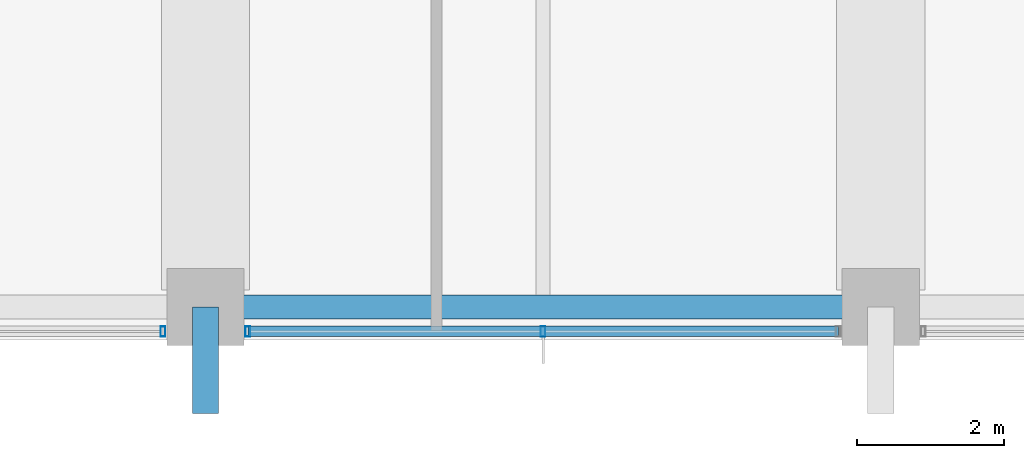
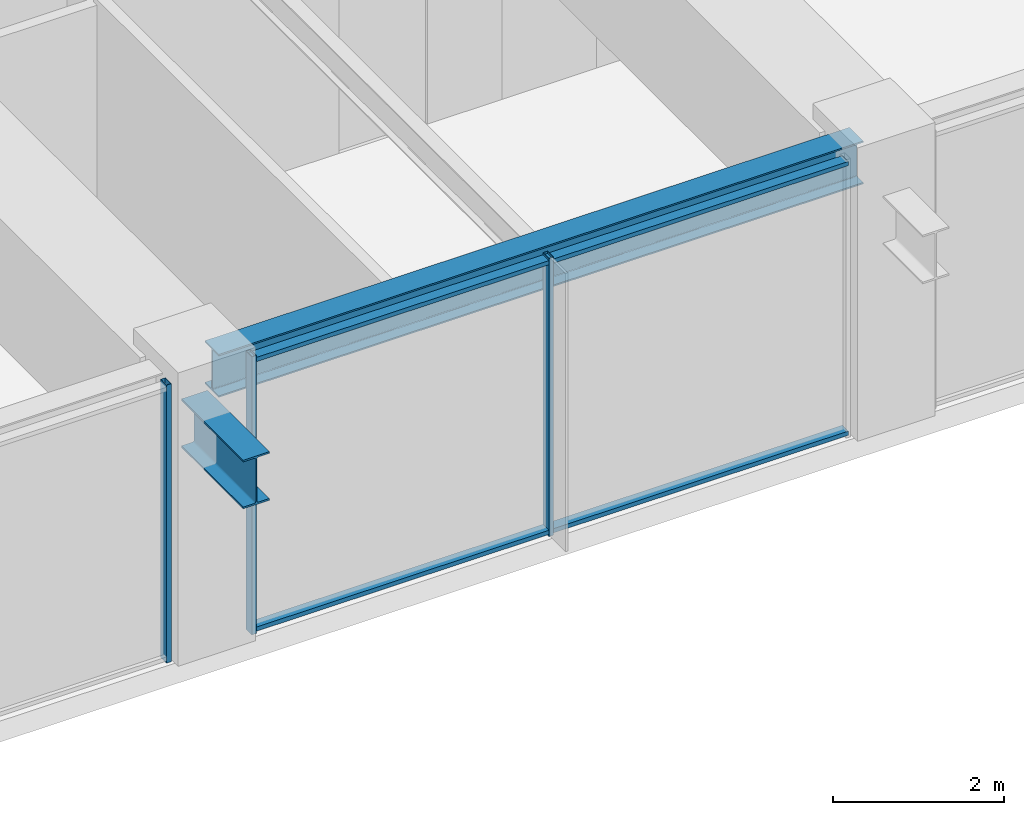
# One storey, part 5 of 40: 5 members, 2 beams, 2 elements without a shape of their own.
"""IFC4 building model written with IfcOpenShell, lengths in metres."""

from ifc_helpers import new_model, si_unit, direction, frame, origin, origin_2d, place, context, subcontext, project, spatial, hollow_rectangle, i_section, extrude, material, material_profile, profile_set, type_object, element, aggregate, save


model = new_model("IFC4")

# Units and contexts
model_context = context("Model", 3, precision=1e-05, world=origin(), true_north=direction((0.0, 1.0)))
body_context = subcontext(model_context, "Body", "Model", "MODEL_VIEW")
ifc_project = project(units=[si_unit("LENGTHUNIT", "METRE"), si_unit("AREAUNIT", "SQUARE_METRE"), si_unit("VOLUMEUNIT", "CUBIC_METRE"), si_unit("PLANEANGLEUNIT", "RADIAN"), si_unit("MASSUNIT", "GRAM", prefix="KILO")], contexts=[model_context])

# Site, building, storey
site_placement = place(None, origin())
site = spatial("IfcSite", under=ifc_project, at=site_placement, CompositionType="ELEMENT")
building_placement = place(site_placement, origin())
building = spatial("IfcBuilding", under=site, at=building_placement, Name="Kolvaren Belvedere", CompositionType="ELEMENT")
storey_placement = place(building_placement, frame((0.0, 0.0, 68.0)))
storey = spatial("IfcBuildingStorey", under=building, at=storey_placement, Name="L19", CompositionType="ELEMENT", Elevation=68.0)

# Beams
ifc_material_1 = material(Name="Structural steel ASTM A992 Grade 50", Category="steel")
ifc_material_profile_1 = material_profile(ifc_material_1, i_section(OverallWidth=0.35498046875, OverallDepth=0.696044921875, WebThickness=0.015380859375, FlangeThickness=0.02490234375, FilletRadius=0.02197265625, at=origin_2d()), Name="W27X146")
ifc_profile_set_1 = profile_set([ifc_material_profile_1], Name="Structural steel ASTM A992 Grade 50")
beam_type_1 = type_object("IfcBeamType", Name="BM-CANT-BAL", PredefinedType="BEAM", material=ifc_profile_set_1)
beam_1_placement = place(storey_placement, frame((-4.60009765625, -19.949951171875, 3.0419921875), z_axis=(0.0, -1.0, 0.0), x_axis=(1.0, 0.0, 0.0)))
element("IfcBeam", 1, at=beam_1_placement, inside=storey, type_object=beam_type_1, Name="L19 South Picture-Frame Column Corbel M", PredefinedType="BEAM", context=body_context, shape_type="SweptSolid", body=[
    extrude(i_section(OverallWidth=0.35498046875, OverallDepth=0.696044921875, WebThickness=0.015380859375, FlangeThickness=0.02490234375, FilletRadius=0.02197265625, at=origin_2d()), origin(), (0.0, 0.0, 1.0), 1.449951171875),
])
ifc_material_2 = material(Name="Structural steel ASTM A992 Grade 50", Category="steel")
ifc_material_profile_2 = material_profile(ifc_material_2, i_section(OverallWidth=0.324951171875, OverallDepth=0.615966796875, WebThickness=0.013916015625, FlangeThickness=0.021484375, FilletRadius=0.02001953125, at=origin_2d()), Name="W24X117")
ifc_profile_set_2 = profile_set([ifc_material_profile_2], Name="Structural steel ASTM A992 Grade 50")
beam_type_2 = type_object("IfcBeamType", Name="BM-SPAN-W24X117", PredefinedType="SPANDREL", material=ifc_profile_set_2)
beam_2_placement = place(storey_placement, frame((-4.36376953125, -19.949951171875, 3.672119140625), z_axis=(1.0, 0.0, 0.0), x_axis=(0.0, 1.0, 0.0)))
element("IfcBeam", 2, at=beam_2_placement, inside=storey, type_object=beam_type_2, Name="L19 Perimeter Spandrel S2-S3", PredefinedType="SPANDREL", context=body_context, shape_type="SweptSolid", body=[
    extrude(i_section(OverallWidth=0.324951171875, OverallDepth=0.615966796875, WebThickness=0.013916015625, FlangeThickness=0.021484375, FilletRadius=0.02001953125, at=origin_2d()), origin(), (0.0, 0.0, 1.0), 8.7275390625),
])

# Curtain wall, members
ifc_material_3 = material(Name="Anodised pale-metal aluminium AA 6063-T6", Category="aluminium")
curtain_wall_type = type_object("IfcCurtainWallType", Name="CW-Z2-MID", PredefinedType="NOTDEFINED", material=ifc_material_3)
curtain_wall_1_placement = place(storey_placement, origin())
curtain_wall_1 = element("IfcCurtainWall", 3, at=curtain_wall_1_placement, inside=storey, type_object=curtain_wall_type, Name="L19 Unitised Curtain Wall FCW-L19-S-B2", PredefinedType="NOTDEFINED")
ifc_material_4 = material(Name="Anodised pale-metal aluminium AA 6063-T6", Category="aluminium")
ifc_material_profile_3 = material_profile(ifc_material_4, hollow_rectangle(XDim=0.06494140625, YDim=0.139892578125, WallThickness=0.00390625, at=origin_2d()), Name="ALU-MUL-140X65")
ifc_profile_set_3 = profile_set([ifc_material_profile_3], Name="Anodised pale-metal aluminium AA 6063-T6")
member_type_1 = type_object("IfcMemberType", Name="CW-MUL-140", PredefinedType="MULLION", material=ifc_profile_set_3)
member_1_placement = place(storey_placement, frame((0.0, -20.280029296875, 0.0), z_axis=(0.0, 0.0, 1.0), x_axis=(1.0, 0.0, 0.0)))
member_1 = element("IfcMember", 4, at=member_1_placement, type_object=member_type_1, Name="FCW-L19-S-B2 Unitised Mullion 2", PredefinedType="MULLION", context=body_context, shape_type="SweptSolid", body=[
    extrude(hollow_rectangle(XDim=0.06494140625, YDim=0.139892578125, WallThickness=0.00390625, at=origin_2d()), origin(), (0.0, 0.0, 1.0), 3.97998046875),
])
member_2_placement = place(storey_placement, frame((-4.0224609375, -20.280029296875, 0.0), z_axis=(0.0, 0.0, 1.0), x_axis=(1.0, 0.0, 0.0)))
member_2 = element("IfcMember", 5, at=member_2_placement, type_object=member_type_1, Name="FCW-L19-S-B2 Unitised Mullion 3", PredefinedType="MULLION", context=body_context, shape_type="SweptSolid", body=[
    extrude(hollow_rectangle(XDim=0.06494140625, YDim=0.139892578125, WallThickness=0.00390625, at=origin_2d()), origin(), (0.0, 0.0, 1.0), 3.97998046875),
])

# Curtain wall, member
curtain_wall_2_placement = place(storey_placement, origin())
curtain_wall_2 = element("IfcCurtainWall", 6, at=curtain_wall_2_placement, inside=storey, type_object=curtain_wall_type, Name="L19 Unitised Curtain Wall FCW-L19-S-B3", PredefinedType="NOTDEFINED")
member_3_placement = place(storey_placement, frame((-5.177490234375, -20.280029296875, 0.0), z_axis=(0.0, 0.0, 1.0), x_axis=(1.0, 0.0, 0.0)))
member_3 = element("IfcMember", 7, at=member_3_placement, type_object=member_type_1, Name="FCW-L19-S-B3 Unitised Mullion 1", PredefinedType="MULLION", context=body_context, shape_type="SweptSolid", body=[
    extrude(hollow_rectangle(XDim=0.06494140625, YDim=0.139892578125, WallThickness=0.00390625, at=origin_2d()), origin(), (0.0, 0.0, 1.0), 3.97998046875),
])
aggregate(curtain_wall_2, [member_3])

# Member
ifc_material_5 = material(Name="Anodised pale-metal aluminium AA 6063-T6", Category="aluminium")
ifc_material_profile_4 = material_profile(ifc_material_5, hollow_rectangle(XDim=0.06005859375, YDim=0.139892578125, WallThickness=0.00390625, at=origin_2d()), Name="ALU-TRN-140X60")
ifc_profile_set_4 = profile_set([ifc_material_profile_4], Name="Anodised pale-metal aluminium AA 6063-T6")
member_type_2 = type_object("IfcMemberType", Name="CW-TRN-140", PredefinedType="USERDEFINED", material=ifc_profile_set_4)
member_4_placement = place(storey_placement, frame((4.0224609375, -20.280029296875, 0.06005859375), z_axis=(-1.0, 0.0, 0.0), x_axis=(0.0, 0.0, 1.0)))
member_4 = element("IfcMember", 8, at=member_4_placement, type_object=member_type_2, Name="FCW-L19-S-B2 Sill Transom", ObjectType="TRANSOM", PredefinedType="USERDEFINED", context=body_context, shape_type="SweptSolid", body=[
    extrude(hollow_rectangle(XDim=0.06005859375, YDim=0.139892578125, WallThickness=0.00390625, at=origin_2d()), origin(), (0.0, 0.0, 1.0), 8.044921875),
])

member_5_placement = place(storey_placement, frame((4.0224609375, -20.280029296875, 3.919921875), z_axis=(-1.0, 0.0, 0.0), x_axis=(0.0, 0.0, 1.0)))
member_5 = element("IfcMember", 9, at=member_5_placement, type_object=member_type_2, Name="FCW-L19-S-B2 Head Transom", ObjectType="TRANSOM", PredefinedType="USERDEFINED", context=body_context, shape_type="SweptSolid", body=[
    extrude(hollow_rectangle(XDim=0.06005859375, YDim=0.139892578125, WallThickness=0.00390625, at=origin_2d()), origin(), (0.0, 0.0, 1.0), 8.044921875),
])

aggregate(curtain_wall_1, [member_1, member_2, member_4, member_5])

save(model, "model.ifc")
